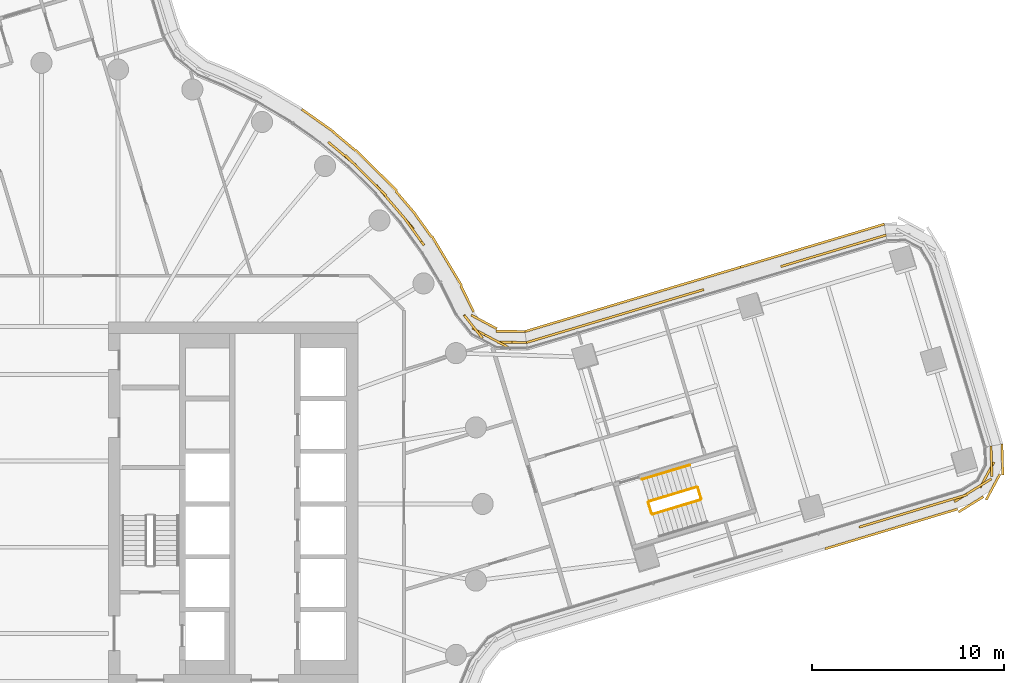
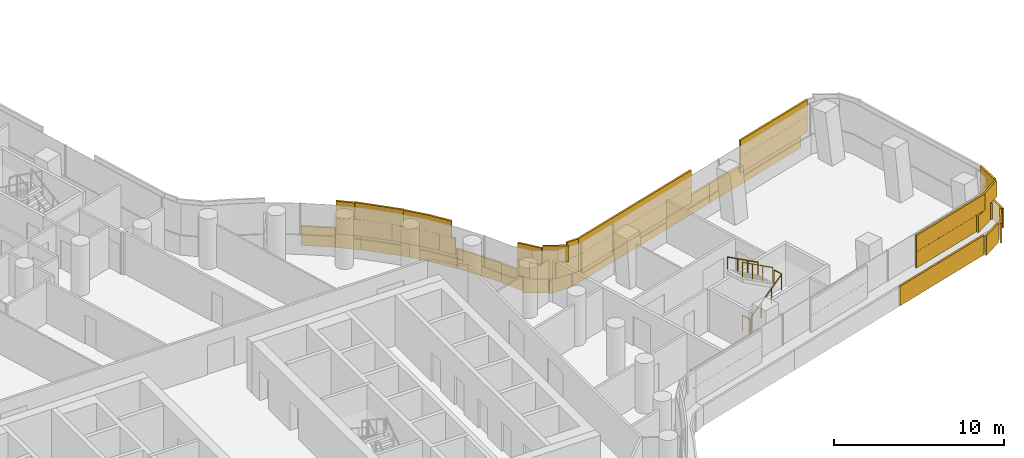
# One storey, part 29 of 32: 5 railings, 4 coverings.
"""IFC4 building model written with IfcOpenShell, lengths in metres."""

from ifc_helpers import new_model, si_unit, direction, frame, origin, origin_2d, place, context, subcontext, project, spatial, rectangle, circle, extrude, material, layer, layer_set, type_object, element, save


model = new_model("IFC4")

# Units and contexts
model_context = context("Model", 3, precision=1e-05, world=origin(), true_north=direction((0.0, 1.0)))
body_context = subcontext(model_context, "Body", "Model", "MODEL_VIEW")
ifc_project = project(units=[si_unit("LENGTHUNIT", "METRE"), si_unit("AREAUNIT", "SQUARE_METRE"), si_unit("VOLUMEUNIT", "CUBIC_METRE"), si_unit("PLANEANGLEUNIT", "RADIAN"), si_unit("MASSUNIT", "GRAM", prefix="KILO")], contexts=[model_context])

# Site, building, storey
site_placement = place(None, origin())
site = spatial("IfcSite", under=ifc_project, at=site_placement, CompositionType="ELEMENT")
building_placement = place(site_placement, origin())
building = spatial("IfcBuilding", under=site, at=building_placement, Name="Tamarind Cross Interchange Tower", CompositionType="ELEMENT")
storey_placement = place(building_placement, frame((0.0, 0.0, 94.75)))
storey = spatial("IfcBuildingStorey", under=building, at=storey_placement, Name="L22", CompositionType="ELEMENT", Elevation=94.75)

# Railings
ifc_material_1 = material(Name="Stair guard")
railing_type_1 = type_object("IfcRailingType", Name="Stair guard", PredefinedType="GUARDRAIL", material=ifc_material_1)
railing_1_placement = place(storey_placement, frame((31.87060546875, -0.533447265625, 0.17041015625)))
element("IfcRailing", 1, at=railing_1_placement, inside=storey, type_object=railing_type_1, Name="L22 ST3 stair guard 1", PredefinedType="GUARDRAIL", context=body_context, shape_type="SweptSolid", body=[
    extrude(circle(Radius=0.02392578125, at=origin_2d()), frame((0.0, 0.0, 1.076171875), z_axis=(0.800923528983, 0.240614736033, 0.548293762071), x_axis=(-0.287718306478, 0.957715080866, 0.0)), (0.0, 0.0, 1.0), 3.10888671875),
    extrude(circle(Radius=0.02099609375, at=origin_2d()), origin(), (0.0, 0.0, 1.0), 1.052001953125),
    extrude(circle(Radius=0.02099609375, at=origin_2d()), frame((0.830078125, 0.249267578125, 0.568115234375)), (0.0, 0.0, 1.0), 1.052001953125),
    extrude(circle(Radius=0.02099609375, at=origin_2d()), frame((1.659912109375, 0.498779296875, 1.136474609375)), (0.0, 0.0, 1.0), 1.052001953125),
    extrude(circle(Radius=0.02099609375, at=origin_2d()), frame((2.489990234375, 0.748046875, 1.70458984375)), (0.0, 0.0, 1.0), 1.052001953125),
])
railing_2_placement = place(storey_placement, frame((34.394287109375, 0.27685546875, 1.875)))
element("IfcRailing", 2, at=railing_2_placement, inside=storey, type_object=railing_type_1, Name="L22 ST3 stair guard 2", PredefinedType="GUARDRAIL", context=body_context, shape_type="SweptSolid", body=[
    extrude(circle(Radius=0.02392578125, at=origin_2d()), frame((0.0, 0.0, 1.076171875), z_axis=(-0.287758606803, 0.957702972853, 0.0), x_axis=(-0.957702972853, -0.287758606803, 0.0)), (0.0, 0.0, 1.0), 0.599853515625),
    extrude(circle(Radius=0.02099609375, at=origin_2d()), origin(), (0.0, 0.0, 1.0), 1.052001953125),
    extrude(circle(Radius=0.02099609375, at=origin_2d()), frame((-0.172607421875, 0.574462890625, 0.0)), (0.0, 0.0, 1.0), 1.052001953125),
])
railing_3_placement = place(storey_placement, frame((34.159423828125, 0.885009765625, 2.04541015625)))
element("IfcRailing", 3, at=railing_3_placement, inside=storey, type_object=railing_type_1, Name="L22 ST3 stair guard 3", PredefinedType="GUARDRAIL", context=body_context, shape_type="SweptSolid", body=[
    extrude(circle(Radius=0.02392578125, at=origin_2d()), frame((0.0, 0.0, 1.076171875), z_axis=(-0.800951680882, -0.240599602963, 0.548259278031), x_axis=(0.287692433569, -0.957722853266, 0.0)), (0.0, 0.0, 1.0), 3.109130859375),
    extrude(circle(Radius=0.02099609375, at=origin_2d()), origin(), (0.0, 0.0, 1.0), 1.052001953125),
    extrude(circle(Radius=0.02099609375, at=origin_2d()), frame((-0.830078125, -0.249267578125, 0.568115234375)), (0.0, 0.0, 1.0), 1.052001953125),
    extrude(circle(Radius=0.02099609375, at=origin_2d()), frame((-1.66015625, -0.498779296875, 1.136474609375)), (0.0, 0.0, 1.0), 1.052001953125),
    extrude(circle(Radius=0.02099609375, at=origin_2d()), frame((-2.490234375, -0.748046875, 1.70458984375)), (0.0, 0.0, 1.0), 1.052001953125),
])
railing_4_placement = place(storey_placement, frame((31.808349609375, -0.499755859375, 0.0)))
element("IfcRailing", 4, at=railing_4_placement, inside=storey, type_object=railing_type_1, Name="L22 ST3 stair guard 4", PredefinedType="GUARDRAIL", context=body_context, shape_type="SweptSolid", body=[
    extrude(circle(Radius=0.02392578125, at=origin_2d()), frame((0.0, 0.0, 1.076171875), z_axis=(-0.287758606803, 0.957702972853, 0.0), x_axis=(-0.957702972853, -0.287758606803, 0.0)), (0.0, 0.0, 1.0), 0.599853515625),
    extrude(circle(Radius=0.02099609375, at=origin_2d()), origin(), (0.0, 0.0, 1.0), 1.052001953125),
    extrude(circle(Radius=0.02099609375, at=origin_2d()), frame((-0.172607421875, 0.574462890625, 0.0)), (0.0, 0.0, 1.0), 1.052001953125),
])
ifc_material_2 = material(Name="Stair handrail")
railing_type_2 = type_object("IfcRailingType", Name="Stair handrail", PredefinedType="HANDRAIL", material=ifc_material_2)
railing_5_placement = place(storey_placement, frame((33.814208984375, 2.0341796875, 2.04541015625)))
element("IfcRailing", 5, at=railing_5_placement, inside=storey, type_object=railing_type_2, Name="L22 ST3 stair handrail 2", PredefinedType="HANDRAIL", context=body_context, shape_type="SweptSolid", body=[
    extrude(circle(Radius=0.02392578125, at=origin_2d()), frame((0.0, 0.0, 0.8759765625), z_axis=(-0.800966811225, -0.240525621842, 0.5482696349), x_axis=(0.287606307034, -0.957748720779, 0.0)), (0.0, 0.0, 1.0), 3.109130859375),
    extrude(circle(Radius=0.02099609375, at=origin_2d()), origin(), (0.0, 0.0, 1.0), 0.851806640625),
    extrude(circle(Radius=0.02099609375, at=origin_2d()), frame((-0.830078125, -0.249267578125, 0.568115234375)), (0.0, 0.0, 1.0), 0.851806640625),
    extrude(circle(Radius=0.02099609375, at=origin_2d()), frame((-1.66015625, -0.49853515625, 1.136474609375)), (0.0, 0.0, 1.0), 0.851806640625),
    extrude(circle(Radius=0.02099609375, at=origin_2d()), frame((-2.490234375, -0.747802734375, 1.70458984375)), (0.0, 0.0, 1.0), 0.851806640625),
])

# Coverings
ifc_material_3 = material(Name="Terracotta", Category="masonry")
ifc_layer = layer(ifc_material_3, 0.1201171875)
ifc_layer_set = layer_set([ifc_layer], Name="Terracotta")
covering_type = type_object("IfcCoveringType", Name="Terracotta baguette screen unit", PredefinedType="MOLDING", material=ifc_layer_set)
covering_1_placement = place(storey_placement, origin())
element("IfcCovering", 6, at=covering_1_placement, inside=storey, type_object=covering_type, Name="SCR-L22-11-02", PredefinedType="MOLDING", context=body_context, shape_type="SweptSolid", body=[
    extrude(rectangle(XDim=0.63232421875, YDim=0.1201171875, at=origin_2d()), frame((42.92822265625, -1.117431640625, 1.404052734375), z_axis=(0.0, 0.0, 1.0), x_axis=(0.957738195167, 0.287641355717, 0.0)), (0.0, 0.0, 1.0), 1.1669921875),
    extrude(rectangle(XDim=1.52001953125, YDim=0.1201171875, at=origin_2d()), frame((43.9443359375, -0.812255859375, 1.404052734375), z_axis=(0.0, 0.0, 1.0), x_axis=(0.957738195167, 0.287641355717, 0.0)), (0.0, 0.0, 1.0), 1.1669921875),
    extrude(rectangle(XDim=1.52001953125, YDim=0.1201171875, at=origin_2d()), frame((45.381103515625, -0.380859375, 1.404052734375), z_axis=(0.0, 0.0, 1.0), x_axis=(0.957738195167, 0.287641355717, 0.0)), (0.0, 0.0, 1.0), 1.1669921875),
    extrude(rectangle(XDim=1.52001953125, YDim=0.1201171875, at=origin_2d()), frame((46.817626953125, 0.05078125, 1.404052734375), z_axis=(0.0, 0.0, 1.0), x_axis=(0.957738195167, 0.287641355717, 0.0)), (0.0, 0.0, 1.0), 1.1669921875),
    extrude(rectangle(XDim=1.52001953125, YDim=0.1201171875, at=origin_2d()), frame((48.238037109375, 0.51806640625, 1.404052734375), z_axis=(0.0, 0.0, 1.0), x_axis=(0.850656996517, 0.525721099327, 0.0)), (0.0, 0.0, 1.0), 1.1669921875),
    extrude(rectangle(XDim=1.52001953125, YDim=0.1201171875, at=origin_2d()), frame((49.295654296875, 1.512451171875, 1.404052734375), z_axis=(0.0, 0.0, 1.0), x_axis=(0.473830019227, 0.880616325581, 0.0)), (0.0, 0.0, 1.0), 1.1669921875),
    extrude(rectangle(XDim=0.835205078125, YDim=0.1201171875, at=origin_2d()), frame((49.5146484375, 2.614501953125, 1.404052734375), z_axis=(0.0, 0.0, 1.0), x_axis=(-0.029959329064, 0.999551118554, 0.0)), (0.0, 0.0, 1.0), 1.1669921875),
    extrude(rectangle(XDim=1.38232421875, YDim=0.1201171875, at=origin_2d()), frame((43.287353515625, -1.009521484375, 2.5791015625), z_axis=(0.0, 0.0, 1.0), x_axis=(0.957738195167, 0.287641355717, 0.0)), (0.0, 0.0, 1.0), 1.1669921875),
    extrude(rectangle(XDim=1.52001953125, YDim=0.1201171875, at=origin_2d()), frame((44.662841796875, -0.596435546875, 2.5791015625), z_axis=(0.0, 0.0, 1.0), x_axis=(0.957738195167, 0.287641355717, 0.0)), (0.0, 0.0, 1.0), 1.1669921875),
    extrude(rectangle(XDim=1.52001953125, YDim=0.1201171875, at=origin_2d()), frame((46.099365234375, -0.1650390625, 2.5791015625), z_axis=(0.0, 0.0, 1.0), x_axis=(0.957738195167, 0.287641355717, 0.0)), (0.0, 0.0, 1.0), 1.1669921875),
    extrude(rectangle(XDim=1.52001953125, YDim=0.1201171875, at=origin_2d()), frame((47.535888671875, 0.266357421875, 2.5791015625), z_axis=(0.0, 0.0, 1.0), x_axis=(0.957738195167, 0.287641355717, 0.0)), (0.0, 0.0, 1.0), 1.1669921875),
    extrude(rectangle(XDim=1.52001953125, YDim=0.1201171875, at=origin_2d()), frame((48.8759765625, 0.912353515625, 2.5791015625), z_axis=(0.0, 0.0, 1.0), x_axis=(0.850656996517, 0.525721099327, 0.0)), (0.0, 0.0, 1.0), 1.1669921875),
    extrude(rectangle(XDim=1.52001953125, YDim=0.1201171875, at=origin_2d()), frame((49.527099609375, 2.2021484375, 2.5791015625), z_axis=(0.0, 0.0, 1.0), x_axis=(-0.029959329064, 0.999551118554, 0.0)), (0.0, 0.0, 1.0), 1.1669921875),
    extrude(rectangle(XDim=0.085205078125, YDim=0.1201171875, at=origin_2d()), frame((49.50341796875, 2.9892578125, 2.5791015625), z_axis=(0.0, 0.0, 1.0), x_axis=(-0.029959329064, 0.999551118554, 0.0)), (0.0, 0.0, 1.0), 1.1669921875),
    extrude(rectangle(XDim=1.22119140625, YDim=0.1201171875, at=origin_2d()), frame((41.436279296875, -2.164794921875, 0.00390625), z_axis=(0.0, 0.0, 1.0), x_axis=(0.957738195167, 0.287641355717, 0.0)), (0.0, 0.0, 1.0), 1.39208984375),
    extrude(rectangle(XDim=1.52001953125, YDim=0.1201171875, at=origin_2d()), frame((42.729736328125, -1.7763671875, 0.00390625), z_axis=(0.0, 0.0, 1.0), x_axis=(0.957738195167, 0.287641355717, 0.0)), (0.0, 0.0, 1.0), 1.39208984375),
    extrude(rectangle(XDim=1.52001953125, YDim=0.1201171875, at=origin_2d()), frame((44.166259765625, -1.344970703125, 0.00390625), z_axis=(0.0, 0.0, 1.0), x_axis=(0.957738195167, 0.287641355717, 0.0)), (0.0, 0.0, 1.0), 1.39208984375),
    extrude(rectangle(XDim=1.52001953125, YDim=0.1201171875, at=origin_2d()), frame((45.60302734375, -0.913330078125, 0.00390625), z_axis=(0.0, 0.0, 1.0), x_axis=(0.957738195167, 0.287641355717, 0.0)), (0.0, 0.0, 1.0), 1.39208984375),
    extrude(rectangle(XDim=1.52001953125, YDim=0.1201171875, at=origin_2d()), frame((47.03955078125, -0.48193359375, 0.00390625), z_axis=(0.0, 0.0, 1.0), x_axis=(0.957738195167, 0.287641355717, 0.0)), (0.0, 0.0, 1.0), 1.39208984375),
    extrude(rectangle(XDim=1.52001953125, YDim=0.1201171875, at=origin_2d()), frame((48.461669921875, -0.018310546875, 0.00390625), z_axis=(0.0, 0.0, 1.0), x_axis=(0.850656996517, 0.525721099327, 0.0)), (0.0, 0.0, 1.0), 1.39208984375),
    extrude(rectangle(XDim=1.52001953125, YDim=0.1201171875, at=origin_2d()), frame((49.61181640625, 0.888671875, 0.00390625), z_axis=(0.0, 0.0, 1.0), x_axis=(0.473830019227, 0.880616325581, 0.0)), (0.0, 0.0, 1.0), 1.39208984375),
    extrude(rectangle(XDim=1.52001953125, YDim=0.1201171875, at=origin_2d()), frame((50.099365234375, 2.26220703125, 0.00390625), z_axis=(0.0, 0.0, 1.0), x_axis=(-0.029959329064, 0.999551118554, 0.0)), (0.0, 0.0, 1.0), 1.39208984375),
    extrude(rectangle(XDim=0.11767578125, YDim=0.1201171875, at=origin_2d()), frame((50.075439453125, 3.060791015625, 0.00390625), z_axis=(0.0, 0.0, 1.0), x_axis=(-0.029959329064, 0.999551118554, 0.0)), (0.0, 0.0, 1.0), 1.39208984375),
])
covering_2_placement = place(storey_placement, origin())
element("IfcCovering", 7, at=covering_2_placement, inside=storey, type_object=covering_type, Name="SCR-L22-13-00", PredefinedType="MOLDING", context=body_context, shape_type="SweptSolid", body=[
    extrude(rectangle(XDim=1.510009765625, YDim=0.1201171875, at=origin_2d()), frame((43.3125, 13.8046875, 1.404052734375), z_axis=(0.0, 0.0, 1.0), x_axis=(-0.958138695884, -0.286304452373, 0.0)), (0.0, 0.0, 1.0), 1.1669921875),
    extrude(rectangle(XDim=1.52001953125, YDim=0.1201171875, at=origin_2d()), frame((41.875244140625, 13.375244140625, 1.404052734375), z_axis=(0.0, 0.0, 1.0), x_axis=(-0.958138695884, -0.286304452373, 0.0)), (0.0, 0.0, 1.0), 1.1669921875),
    extrude(rectangle(XDim=1.52001953125, YDim=0.1201171875, at=origin_2d()), frame((40.43798828125, 12.94580078125, 1.404052734375), z_axis=(0.0, 0.0, 1.0), x_axis=(-0.958138695884, -0.286304452373, 0.0)), (0.0, 0.0, 1.0), 1.1669921875),
    extrude(rectangle(XDim=1.229736328125, YDim=0.1201171875, at=origin_2d()), frame((39.135009765625, 12.556640625, 1.404052734375), z_axis=(0.0, 0.0, 1.0), x_axis=(-0.958138695884, -0.286304452373, 0.0)), (0.0, 0.0, 1.0), 1.1669921875),
    extrude(rectangle(XDim=0.760009765625, YDim=0.1201171875, at=origin_2d()), frame((43.671630859375, 13.912109375, 2.5791015625), z_axis=(0.0, 0.0, 1.0), x_axis=(-0.958138695884, -0.286304452373, 0.0)), (0.0, 0.0, 1.0), 1.1669921875),
    extrude(rectangle(XDim=1.52001953125, YDim=0.1201171875, at=origin_2d()), frame((42.59375, 13.590087890625, 2.5791015625), z_axis=(0.0, 0.0, 1.0), x_axis=(-0.958138695884, -0.286304452373, 0.0)), (0.0, 0.0, 1.0), 1.1669921875),
    extrude(rectangle(XDim=1.52001953125, YDim=0.1201171875, at=origin_2d()), frame((41.15673828125, 13.16064453125, 2.5791015625), z_axis=(0.0, 0.0, 1.0), x_axis=(-0.958138695884, -0.286304452373, 0.0)), (0.0, 0.0, 1.0), 1.1669921875),
    extrude(rectangle(XDim=1.52001953125, YDim=0.1201171875, at=origin_2d()), frame((39.719482421875, 12.731201171875, 2.5791015625), z_axis=(0.0, 0.0, 1.0), x_axis=(-0.958138695884, -0.286304452373, 0.0)), (0.0, 0.0, 1.0), 1.1669921875),
    extrude(rectangle(XDim=0.479736328125, YDim=0.1201171875, at=origin_2d()), frame((38.775634765625, 12.44921875, 2.5791015625), z_axis=(0.0, 0.0, 1.0), x_axis=(-0.958138695884, -0.286304452373, 0.0)), (0.0, 0.0, 1.0), 1.1669921875),
    extrude(rectangle(XDim=1.510009765625, YDim=0.1201171875, at=origin_2d()), frame((43.21533203125, 14.374755859375, 0.00390625), z_axis=(0.0, 0.0, 1.0), x_axis=(-0.958138695884, -0.286304452373, 0.0)), (0.0, 0.0, 1.0), 1.39208984375),
    extrude(rectangle(XDim=1.52001953125, YDim=0.1201171875, at=origin_2d()), frame((41.782958984375, 13.94677734375, 0.00390625), z_axis=(0.0, 0.0, 1.0), x_axis=(-0.958138695884, -0.286304452373, 0.0)), (0.0, 0.0, 1.0), 1.39208984375),
    extrude(rectangle(XDim=1.52001953125, YDim=0.1201171875, at=origin_2d()), frame((40.345703125, 13.517333984375, 0.00390625), z_axis=(0.0, 0.0, 1.0), x_axis=(-0.958138695884, -0.286304452373, 0.0)), (0.0, 0.0, 1.0), 1.39208984375),
    extrude(rectangle(XDim=1.52001953125, YDim=0.1201171875, at=origin_2d()), frame((38.908447265625, 13.087890625, 0.00390625), z_axis=(0.0, 0.0, 1.0), x_axis=(-0.958138695884, -0.286304452373, 0.0)), (0.0, 0.0, 1.0), 1.39208984375),
    extrude(rectangle(XDim=1.52001953125, YDim=0.1201171875, at=origin_2d()), frame((37.47119140625, 12.658447265625, 0.00390625), z_axis=(0.0, 0.0, 1.0), x_axis=(-0.958138695884, -0.286304452373, 0.0)), (0.0, 0.0, 1.0), 1.39208984375),
    extrude(rectangle(XDim=0.32470703125, YDim=0.1201171875, at=origin_2d()), frame((36.606689453125, 12.400146484375, 0.00390625), z_axis=(0.0, 0.0, 1.0), x_axis=(-0.958138695884, -0.286304452373, 0.0)), (0.0, 0.0, 1.0), 1.39208984375),
])
covering_3_placement = place(storey_placement, origin())
element("IfcCovering", 8, at=covering_3_placement, inside=storey, type_object=covering_type, Name="SCR-L22-13-01", PredefinedType="MOLDING", context=body_context, shape_type="SweptSolid", body=[
    extrude(rectangle(XDim=0.59033203125, YDim=0.1201171875, at=origin_2d()), frame((34.24853515625, 11.096435546875, 1.404052734375), z_axis=(0.0, 0.0, 1.0), x_axis=(-0.958138695884, -0.286304452373, 0.0)), (0.0, 0.0, 1.0), 1.1669921875),
    extrude(rectangle(XDim=1.52001953125, YDim=0.1201171875, at=origin_2d()), frame((33.251953125, 10.798583984375, 1.404052734375), z_axis=(0.0, 0.0, 1.0), x_axis=(-0.958138695884, -0.286304452373, 0.0)), (0.0, 0.0, 1.0), 1.1669921875),
    extrude(rectangle(XDim=1.52001953125, YDim=0.1201171875, at=origin_2d()), frame((31.814697265625, 10.369140625, 1.404052734375), z_axis=(0.0, 0.0, 1.0), x_axis=(-0.958138695884, -0.286304452373, 0.0)), (0.0, 0.0, 1.0), 1.1669921875),
    extrude(rectangle(XDim=1.52001953125, YDim=0.1201171875, at=origin_2d()), frame((30.37744140625, 9.939697265625, 1.404052734375), z_axis=(0.0, 0.0, 1.0), x_axis=(-0.958138695884, -0.286304452373, 0.0)), (0.0, 0.0, 1.0), 1.1669921875),
    extrude(rectangle(XDim=1.52001953125, YDim=0.1201171875, at=origin_2d()), frame((28.9404296875, 9.51025390625, 1.404052734375), z_axis=(0.0, 0.0, 1.0), x_axis=(-0.958138695884, -0.286304452373, 0.0)), (0.0, 0.0, 1.0), 1.1669921875),
    extrude(rectangle(XDim=1.52001953125, YDim=0.1201171875, at=origin_2d()), frame((27.503173828125, 9.080810546875, 1.404052734375), z_axis=(0.0, 0.0, 1.0), x_axis=(-0.958138695884, -0.286304452373, 0.0)), (0.0, 0.0, 1.0), 1.1669921875),
    extrude(rectangle(XDim=1.52001953125, YDim=0.1201171875, at=origin_2d()), frame((26.06591796875, 8.6513671875, 1.404052734375), z_axis=(0.0, 0.0, 1.0), x_axis=(-0.958138695884, -0.286304452373, 0.0)), (0.0, 0.0, 1.0), 1.1669921875),
    extrude(rectangle(XDim=0.0751953125, YDim=0.1201171875, at=origin_2d()), frame((25.316162109375, 8.42724609375, 1.404052734375), z_axis=(0.0, 0.0, 1.0), x_axis=(-0.958138695884, -0.286304452373, 0.0)), (0.0, 0.0, 1.0), 1.1669921875),
    extrude(rectangle(XDim=1.34033203125, YDim=0.1201171875, at=origin_2d()), frame((33.88916015625, 10.989013671875, 2.5791015625), z_axis=(0.0, 0.0, 1.0), x_axis=(-0.958138695884, -0.286304452373, 0.0)), (0.0, 0.0, 1.0), 1.1669921875),
    extrude(rectangle(XDim=1.52001953125, YDim=0.1201171875, at=origin_2d()), frame((32.533447265625, 10.583740234375, 2.5791015625), z_axis=(0.0, 0.0, 1.0), x_axis=(-0.958138695884, -0.286304452373, 0.0)), (0.0, 0.0, 1.0), 1.1669921875),
    extrude(rectangle(XDim=1.52001953125, YDim=0.1201171875, at=origin_2d()), frame((31.09619140625, 10.154296875, 2.5791015625), z_axis=(0.0, 0.0, 1.0), x_axis=(-0.958138695884, -0.286304452373, 0.0)), (0.0, 0.0, 1.0), 1.1669921875),
    extrude(rectangle(XDim=1.52001953125, YDim=0.1201171875, at=origin_2d()), frame((29.658935546875, 9.724853515625, 2.5791015625), z_axis=(0.0, 0.0, 1.0), x_axis=(-0.958138695884, -0.286304452373, 0.0)), (0.0, 0.0, 1.0), 1.1669921875),
    extrude(rectangle(XDim=1.52001953125, YDim=0.1201171875, at=origin_2d()), frame((28.2216796875, 9.29541015625, 2.5791015625), z_axis=(0.0, 0.0, 1.0), x_axis=(-0.958138695884, -0.286304452373, 0.0)), (0.0, 0.0, 1.0), 1.1669921875),
    extrude(rectangle(XDim=1.52001953125, YDim=0.1201171875, at=origin_2d()), frame((26.784423828125, 8.865966796875, 2.5791015625), z_axis=(0.0, 0.0, 1.0), x_axis=(-0.958138695884, -0.286304452373, 0.0)), (0.0, 0.0, 1.0), 1.1669921875),
    extrude(rectangle(XDim=0.8251953125, YDim=0.1201171875, at=origin_2d()), frame((25.675537109375, 8.53466796875, 2.5791015625), z_axis=(0.0, 0.0, 1.0), x_axis=(-0.958138695884, -0.286304452373, 0.0)), (0.0, 0.0, 1.0), 1.1669921875),
    extrude(rectangle(XDim=1.1953125, YDim=0.1201171875, at=origin_2d()), frame((35.878662109375, 12.1826171875, 0.00390625), z_axis=(0.0, 0.0, 1.0), x_axis=(-0.958138695884, -0.286304452373, 0.0)), (0.0, 0.0, 1.0), 1.39208984375),
    extrude(rectangle(XDim=1.52001953125, YDim=0.1201171875, at=origin_2d()), frame((34.596923828125, 11.799560546875, 0.00390625), z_axis=(0.0, 0.0, 1.0), x_axis=(-0.958138695884, -0.286304452373, 0.0)), (0.0, 0.0, 1.0), 1.39208984375),
    extrude(rectangle(XDim=1.52001953125, YDim=0.1201171875, at=origin_2d()), frame((33.15966796875, 11.3701171875, 0.00390625), z_axis=(0.0, 0.0, 1.0), x_axis=(-0.958138695884, -0.286304452373, 0.0)), (0.0, 0.0, 1.0), 1.39208984375),
    extrude(rectangle(XDim=1.52001953125, YDim=0.1201171875, at=origin_2d()), frame((31.722412109375, 10.940673828125, 0.00390625), z_axis=(0.0, 0.0, 1.0), x_axis=(-0.958138695884, -0.286304452373, 0.0)), (0.0, 0.0, 1.0), 1.39208984375),
    extrude(rectangle(XDim=1.52001953125, YDim=0.1201171875, at=origin_2d()), frame((30.28515625, 10.51123046875, 0.00390625), z_axis=(0.0, 0.0, 1.0), x_axis=(-0.958138695884, -0.286304452373, 0.0)), (0.0, 0.0, 1.0), 1.39208984375),
    extrude(rectangle(XDim=1.52001953125, YDim=0.1201171875, at=origin_2d()), frame((28.84814453125, 10.081787109375, 0.00390625), z_axis=(0.0, 0.0, 1.0), x_axis=(-0.958138695884, -0.286304452373, 0.0)), (0.0, 0.0, 1.0), 1.39208984375),
    extrude(rectangle(XDim=1.52001953125, YDim=0.1201171875, at=origin_2d()), frame((27.410888671875, 9.65234375, 0.00390625), z_axis=(0.0, 0.0, 1.0), x_axis=(-0.958138695884, -0.286304452373, 0.0)), (0.0, 0.0, 1.0), 1.39208984375),
    extrude(rectangle(XDim=1.52001953125, YDim=0.1201171875, at=origin_2d()), frame((25.9736328125, 9.222900390625, 0.00390625), z_axis=(0.0, 0.0, 1.0), x_axis=(-0.958138695884, -0.286304452373, 0.0)), (0.0, 0.0, 1.0), 1.39208984375),
    extrude(rectangle(XDim=0.06201171875, YDim=0.1201171875, at=origin_2d()), frame((25.23486328125, 9.001953125, 0.00390625), z_axis=(0.0, 0.0, 1.0), x_axis=(-0.958138695884, -0.286304452373, 0.0)), (0.0, 0.0, 1.0), 1.39208984375),
])
covering_4_placement = place(storey_placement, origin())
element("IfcCovering", 9, at=covering_4_placement, inside=storey, type_object=covering_type, Name="SCR-L22-14-00", PredefinedType="MOLDING", context=body_context, shape_type="SweptSolid", body=[
    extrude(rectangle(XDim=1.510009765625, YDim=0.1201171875, at=origin_2d()), frame((24.534912109375, 8.4287109375, 1.404052734375), z_axis=(0.0, 0.0, 1.0), x_axis=(-0.99989613667, 0.014412351413, 0.0)), (0.0, 0.0, 1.0), 1.1669921875),
    extrude(rectangle(XDim=1.52001953125, YDim=0.1201171875, at=origin_2d()), frame((23.12841796875, 8.8125, 1.404052734375), z_axis=(0.0, 0.0, 1.0), x_axis=(-0.882402619654, 0.470495076305, 0.0)), (0.0, 0.0, 1.0), 1.1669921875),
    extrude(rectangle(XDim=0.80322265625, YDim=0.1201171875, at=origin_2d()), frame((22.276611328125, 9.543212890625, 1.404052734375), z_axis=(0.0, 0.0, 1.0), x_axis=(-0.619343717701, 0.785119964938, 0.0)), (0.0, 0.0, 1.0), 1.1669921875),
    extrude(rectangle(XDim=1.016845703125, YDim=0.1201171875, at=origin_2d()), frame((19.64794921875, 13.89794921875, 1.404052734375), z_axis=(0.0, 0.0, 1.0), x_axis=(-0.584573890505, 0.811340475102, 0.0)), (0.0, 0.0, 1.0), 1.1669921875),
    extrude(rectangle(XDim=1.52001953125, YDim=0.1201171875, at=origin_2d()), frame((18.912109375, 14.912353515625, 1.404052734375), z_axis=(0.0, 0.0, 1.0), x_axis=(-0.64957723968, 0.760295606781, 0.0)), (0.0, 0.0, 1.0), 1.1669921875),
    extrude(rectangle(XDim=1.52001953125, YDim=0.1201171875, at=origin_2d()), frame((17.937744140625, 16.052734375, 1.404052734375), z_axis=(0.0, 0.0, 1.0), x_axis=(-0.64957723968, 0.760295606781, 0.0)), (0.0, 0.0, 1.0), 1.1669921875),
    extrude(rectangle(XDim=1.52001953125, YDim=0.1201171875, at=origin_2d()), frame((16.899169921875, 17.1337890625, 1.404052734375), z_axis=(0.0, 0.0, 1.0), x_axis=(-0.710143317658, 0.704057148523, 0.0)), (0.0, 0.0, 1.0), 1.1669921875),
    extrude(rectangle(XDim=1.52001953125, YDim=0.1201171875, at=origin_2d()), frame((15.802490234375, 18.1552734375, 1.404052734375), z_axis=(0.0, 0.0, 1.0), x_axis=(-0.765858396687, 0.643009266048, 0.0)), (0.0, 0.0, 1.0), 1.1669921875),
    extrude(rectangle(XDim=0.3662109375, YDim=0.1201171875, at=origin_2d()), frame((15.091552734375, 18.751953125, 1.404052734375), z_axis=(0.0, 0.0, 1.0), x_axis=(-0.765858396687, 0.643009266048, 0.0)), (0.0, 0.0, 1.0), 1.1669921875),
    extrude(rectangle(XDim=0.760009765625, YDim=0.1201171875, at=origin_2d()), frame((24.909912109375, 8.42333984375, 2.5791015625), z_axis=(0.0, 0.0, 1.0), x_axis=(-0.99989613667, 0.014412351413, 0.0)), (0.0, 0.0, 1.0), 1.1669921875),
    extrude(rectangle(XDim=1.52001953125, YDim=0.1201171875, at=origin_2d()), frame((23.790283203125, 8.459716796875, 2.5791015625), z_axis=(0.0, 0.0, 1.0), x_axis=(-0.882402619654, 0.470495076305, 0.0)), (0.0, 0.0, 1.0), 1.1669921875),
    extrude(rectangle(XDim=1.52001953125, YDim=0.1201171875, at=origin_2d()), frame((22.522216796875, 9.231689453125, 2.5791015625), z_axis=(0.0, 0.0, 1.0), x_axis=(-0.619343717701, 0.785119964938, 0.0)), (0.0, 0.0, 1.0), 1.1669921875),
    extrude(rectangle(XDim=1.52001953125, YDim=0.1201171875, at=origin_2d()), frame((19.353515625, 14.306396484375, 2.5791015625), z_axis=(0.0, 0.0, 1.0), x_axis=(-0.584573890505, 0.811340475102, 0.0)), (0.0, 0.0, 1.0), 1.1669921875),
    extrude(rectangle(XDim=1.52001953125, YDim=0.1201171875, at=origin_2d()), frame((18.4248046875, 15.482666015625, 2.5791015625), z_axis=(0.0, 0.0, 1.0), x_axis=(-0.64957723968, 0.760295606781, 0.0)), (0.0, 0.0, 1.0), 1.1669921875),
    extrude(rectangle(XDim=1.52001953125, YDim=0.1201171875, at=origin_2d()), frame((17.431884765625, 16.605712890625, 2.5791015625), z_axis=(0.0, 0.0, 1.0), x_axis=(-0.710143317658, 0.704057148523, 0.0)), (0.0, 0.0, 1.0), 1.1669921875),
    extrude(rectangle(XDim=1.52001953125, YDim=0.1201171875, at=origin_2d()), frame((16.36669921875, 17.661865234375, 2.5791015625), z_axis=(0.0, 0.0, 1.0), x_axis=(-0.710143317658, 0.704057148523, 0.0)), (0.0, 0.0, 1.0), 1.1669921875),
    extrude(rectangle(XDim=1.1162109375, YDim=0.1201171875, at=origin_2d()), frame((15.37890625, 18.510986328125, 2.5791015625), z_axis=(0.0, 0.0, 1.0), x_axis=(-0.765858396687, 0.643009266048, 0.0)), (0.0, 0.0, 1.0), 1.1669921875),
    extrude(rectangle(XDim=1.510009765625, YDim=0.1201171875, at=origin_2d()), frame((24.4501953125, 9.00390625, 0.00390625), z_axis=(0.0, 0.0, 1.0), x_axis=(-0.99989613667, 0.014412351413, 0.0)), (0.0, 0.0, 1.0), 1.39208984375),
    extrude(rectangle(XDim=1.52001953125, YDim=0.1201171875, at=origin_2d()), frame((23.0751953125, 9.491455078125, 0.00390625), z_axis=(0.0, 0.0, 1.0), x_axis=(-0.882402619654, 0.470495076305, 0.0)), (0.0, 0.0, 1.0), 1.39208984375),
    extrude(rectangle(XDim=1.52001953125, YDim=0.1201171875, at=origin_2d()), frame((22.19970703125, 10.695068359375, 0.00390625), z_axis=(0.0, 0.0, 1.0), x_axis=(-0.443723968604, 0.896163511691, 0.0)), (0.0, 0.0, 1.0), 1.39208984375),
    extrude(rectangle(XDim=1.52001953125, YDim=0.1201171875, at=origin_2d()), frame((21.517333984375, 12.030029296875, 0.00390625), z_axis=(0.0, 0.0, 1.0), x_axis=(-0.515577308909, 0.856843065292, 0.0)), (0.0, 0.0, 1.0), 1.39208984375),
    extrude(rectangle(XDim=1.52001953125, YDim=0.1201171875, at=origin_2d()), frame((20.743896484375, 13.3154296875, 0.00390625), z_axis=(0.0, 0.0, 1.0), x_axis=(-0.515577308909, 0.856843065292, 0.0)), (0.0, 0.0, 1.0), 1.39208984375),
    extrude(rectangle(XDim=1.52001953125, YDim=0.1201171875, at=origin_2d()), frame((19.88818359375, 14.54638671875, 0.00390625), z_axis=(0.0, 0.0, 1.0), x_axis=(-0.584573890505, 0.811340475102, 0.0)), (0.0, 0.0, 1.0), 1.39208984375),
    extrude(rectangle(XDim=1.52001953125, YDim=0.1201171875, at=origin_2d()), frame((18.968505859375, 15.729736328125, 0.00390625), z_axis=(0.0, 0.0, 1.0), x_axis=(-0.64957723968, 0.760295606781, 0.0)), (0.0, 0.0, 1.0), 1.39208984375),
    extrude(rectangle(XDim=1.52001953125, YDim=0.1201171875, at=origin_2d()), frame((17.987060546875, 16.863525390625, 0.00390625), z_axis=(0.0, 0.0, 1.0), x_axis=(-0.710143317658, 0.704057148523, 0.0)), (0.0, 0.0, 1.0), 1.39208984375),
    extrude(rectangle(XDim=1.52001953125, YDim=0.1201171875, at=origin_2d()), frame((16.921875, 17.919677734375, 0.00390625), z_axis=(0.0, 0.0, 1.0), x_axis=(-0.710143317658, 0.704057148523, 0.0)), (0.0, 0.0, 1.0), 1.39208984375),
    extrude(rectangle(XDim=1.52001953125, YDim=0.1201171875, at=origin_2d()), frame((15.79638671875, 18.90966796875, 0.00390625), z_axis=(0.0, 0.0, 1.0), x_axis=(-0.765858396687, 0.643009266048, 0.0)), (0.0, 0.0, 1.0), 1.39208984375),
    extrude(rectangle(XDim=1.52001953125, YDim=0.1201171875, at=origin_2d()), frame((14.620361328125, 19.8388671875, 0.00390625), z_axis=(0.0, 0.0, 1.0), x_axis=(-0.816341886298, 0.577568978284, 0.0)), (0.0, 0.0, 1.0), 1.39208984375),
    extrude(rectangle(XDim=0.542724609375, YDim=0.1201171875, at=origin_2d()), frame((13.794677734375, 20.4228515625, 0.00390625), z_axis=(0.0, 0.0, 1.0), x_axis=(-0.816341886298, 0.577568978284, 0.0)), (0.0, 0.0, 1.0), 1.39208984375),
])

save(model, "model.ifc")
